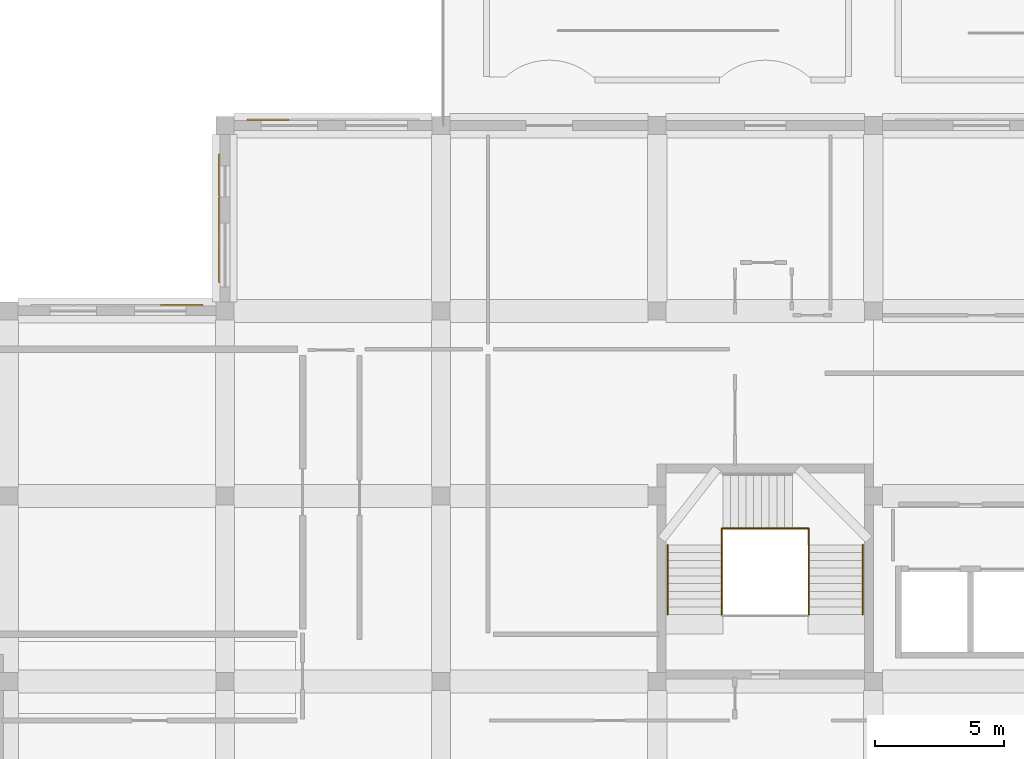
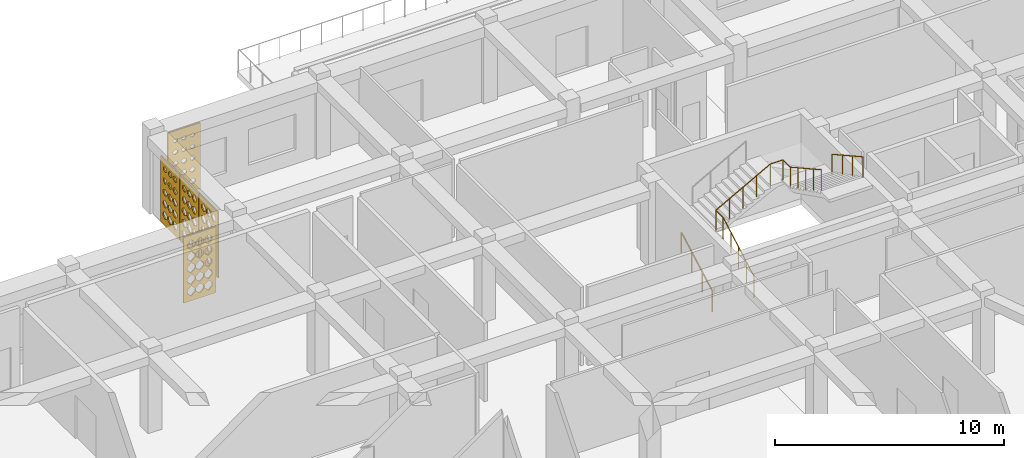
# One storey, part 71 of 79: 5 coverings, 5 railings.
"""IFC4 building model written with IfcOpenShell, lengths in metres."""

from ifc_helpers import new_model, si_unit, derived_unit, direction, frame, origin, origin_2d, place, context, subcontext, project, spatial, polyline, circle, outline, extrude, material, layer, layer_set, type_object, element, save


model = new_model("IFC4")

# Units and contexts
model_context = context("Model", 3, precision=1e-05, world=origin(), true_north=direction((0.0, 1.0)))
body_context = subcontext(model_context, "Body", "Model", "MODEL_VIEW")
ifc_project = project(units=[si_unit("LENGTHUNIT", "METRE"), si_unit("AREAUNIT", "SQUARE_METRE"), si_unit("VOLUMEUNIT", "CUBIC_METRE"), si_unit("PLANEANGLEUNIT", "RADIAN"), si_unit("MASSUNIT", "GRAM", prefix="KILO"), derived_unit("THERMALTRANSMITTANCEUNIT", [(si_unit("POWERUNIT", "WATT"), 1), (si_unit("LENGTHUNIT", "METRE"), -2), (si_unit("THERMODYNAMICTEMPERATUREUNIT", "KELVIN"), -1)])], contexts=[model_context])

# Site, building, storey
site_placement = place(None, origin())
site = spatial("IfcSite", under=ifc_project, at=site_placement, CompositionType="ELEMENT")
building_placement = place(site_placement, origin())
building = spatial("IfcBuilding", under=site, at=building_placement, Name="Veybourne Emporium", CompositionType="ELEMENT")
storey_placement = place(building_placement, frame((0.0, 0.0, 18.89990234375)))
storey = spatial("IfcBuildingStorey", under=building, at=storey_placement, Name="L04", CompositionType="ELEMENT", Elevation=18.89990234375)

# Railings
ifc_material_1 = material(Name="Brushed Stainless Steel", Category="steel")
railing_type_1 = type_object("IfcRailingType", Name="Guard_GR-01", PredefinedType="GUARDRAIL", material=ifc_material_1)
railing_1_placement = place(storey_placement, frame((52.909912109375, 74.60009765625, 0.0)))
element("IfcRailing", 1, at=railing_1_placement, inside=storey, type_object=railing_type_1, Name="L04 ST-03 stair guard 1", PredefinedType="GUARDRAIL", context=body_context, shape_type="SweptSolid", body=[
    extrude(circle(Radius=0.02392578125, at=origin_2d()), frame((0.0, 0.0, 1.1259765625), z_axis=(0.0, 0.87415354758, 0.485649642493), x_axis=(-1.0, 0.0, 0.0)), (0.0, 0.0, 1.0), 3.088623046875),
    extrude(circle(Radius=0.02392578125, at=origin_2d()), frame((0.0, 2.699951171875, 2.6259765625), z_axis=(0.0, 1.0, 0.0), x_axis=(-1.0, 0.0, 0.0)), (0.0, 0.0, 1.0), 0.639892578125),
    extrude(circle(Radius=0.02099609375, at=origin_2d()), origin(), (0.0, 0.0, 1.0), 1.101806640625),
    extrude(circle(Radius=0.02099609375, at=origin_2d()), frame((0.0, 0.675048828125, 0.375)), (0.0, 0.0, 1.0), 1.101806640625),
    extrude(circle(Radius=0.02099609375, at=origin_2d()), frame((0.0, 1.35009765625, 0.75)), (0.0, 0.0, 1.0), 1.101806640625),
    extrude(circle(Radius=0.02099609375, at=origin_2d()), frame((0.0, 2.02490234375, 1.125)), (0.0, 0.0, 1.0), 1.101806640625),
    extrude(circle(Radius=0.02099609375, at=origin_2d()), frame((0.0, 2.699951171875, 1.5)), (0.0, 0.0, 1.0), 1.101806640625),
    extrude(circle(Radius=0.02099609375, at=origin_2d()), frame((0.0, 3.33984375, 1.5)), (0.0, 0.0, 1.0), 1.101806640625),
])
railing_2_placement = place(storey_placement, frame((52.909912109375, 77.93994140625, 1.5)))
element("IfcRailing", 2, at=railing_2_placement, inside=storey, type_object=railing_type_1, Name="L04 ST-03 stair guard 2", PredefinedType="GUARDRAIL", context=body_context, shape_type="SweptSolid", body=[
    extrude(circle(Radius=0.02392578125, at=origin_2d()), frame((0.0, 0.0, 1.1259765625), z_axis=(0.87715976088, 0.0, 0.480198660861), x_axis=(0.0, 1.0, 0.0)), (0.0, 0.0, 1.0), 3.123779296875),
    extrude(circle(Radius=0.02392578125, at=origin_2d()), frame((2.739990234375, 0.0, 2.6259765625), z_axis=(1.0, 0.0, 0.0), x_axis=(0.0, 1.0, 0.0)), (0.0, 0.0, 1.0), 0.64013671875),
    extrude(circle(Radius=0.02099609375, at=origin_2d()), origin(), (0.0, 0.0, 1.0), 1.101806640625),
    extrude(circle(Radius=0.02099609375, at=origin_2d()), frame((0.68505859375, 0.0, 0.375)), (0.0, 0.0, 1.0), 1.101806640625),
    extrude(circle(Radius=0.02099609375, at=origin_2d()), frame((1.3701171875, 0.0, 0.75)), (0.0, 0.0, 1.0), 1.101806640625),
    extrude(circle(Radius=0.02099609375, at=origin_2d()), frame((2.054931640625, 0.0, 1.125)), (0.0, 0.0, 1.0), 1.101806640625),
    extrude(circle(Radius=0.02099609375, at=origin_2d()), frame((2.739990234375, 0.0, 1.5)), (0.0, 0.0, 1.0), 1.101806640625),
    extrude(circle(Radius=0.02099609375, at=origin_2d()), frame((3.380126953125, 0.0, 1.5)), (0.0, 0.0, 1.0), 1.101806640625),
])
railing_3_placement = place(storey_placement, frame((56.2900390625, 77.93994140625, 3.0)))
element("IfcRailing", 3, at=railing_3_placement, inside=storey, type_object=railing_type_1, Name="L04 ST-03 stair guard 3", PredefinedType="GUARDRAIL", context=body_context, shape_type="SweptSolid", body=[
    extrude(circle(Radius=0.02392578125, at=origin_2d()), frame((0.0, 0.0, 1.1259765625), z_axis=(0.0, -1.0, 0.0), x_axis=(1.0, 0.0, 0.0)), (0.0, 0.0, 1.0), 0.639892578125),
    extrude(circle(Radius=0.02392578125, at=origin_2d()), frame((0.0, -0.639892578125, 1.1259765625), z_axis=(0.0, -0.87415354758, 0.485649642493), x_axis=(1.0, 0.0, 0.0)), (0.0, 0.0, 1.0), 3.088623046875),
    extrude(circle(Radius=0.02099609375, at=origin_2d()), origin(), (0.0, 0.0, 1.0), 1.101806640625),
    extrude(circle(Radius=0.02099609375, at=origin_2d()), frame((0.0, -0.639892578125, 0.0)), (0.0, 0.0, 1.0), 1.101806640625),
    extrude(circle(Radius=0.02099609375, at=origin_2d()), frame((0.0, -1.31494140625, 0.375)), (0.0, 0.0, 1.0), 1.101806640625),
    extrude(circle(Radius=0.02099609375, at=origin_2d()), frame((0.0, -1.98974609375, 0.75)), (0.0, 0.0, 1.0), 1.101806640625),
    extrude(circle(Radius=0.02099609375, at=origin_2d()), frame((0.0, -2.664794921875, 1.125)), (0.0, 0.0, 1.0), 1.101806640625),
    extrude(circle(Radius=0.02099609375, at=origin_2d()), frame((0.0, -3.33984375, 1.5)), (0.0, 0.0, 1.0), 1.101806640625),
])
railing_type_2 = type_object("IfcRailingType", Name="Handrail_HR-01", PredefinedType="HANDRAIL", material=ifc_material_1)
railing_4_placement = place(storey_placement, frame((50.81005859375, 74.60009765625, 0.150146484375)))
element("IfcRailing", 4, at=railing_4_placement, inside=storey, type_object=railing_type_2, Name="L04 ST-03 pitch handrail 1", PredefinedType="HANDRAIL", context=body_context, shape_type="SweptSolid", body=[
    extrude(circle(Radius=0.02392578125, at=origin_2d()), frame((0.0, 0.0, 0.92578125), z_axis=(0.0, 0.87415354758, 0.485649642493), x_axis=(-1.0, 0.0, 0.0)), (0.0, 0.0, 1.0), 3.088623046875),
    extrude(circle(Radius=0.02099609375, at=origin_2d()), frame((0.0, 0.0, -0.14990234375)), (0.0, 0.0, 1.0), 1.0517578125),
    extrude(circle(Radius=0.02099609375, at=origin_2d()), frame((0.0, 0.89990234375, 0.35009765625)), (0.0, 0.0, 1.0), 1.0517578125),
    extrude(circle(Radius=0.02099609375, at=origin_2d()), frame((0.0, 1.800048828125, 0.85009765625)), (0.0, 0.0, 1.0), 1.0517578125),
    extrude(circle(Radius=0.02099609375, at=origin_2d()), frame((0.0, 2.699951171875, 1.35009765625)), (0.0, 0.0, 1.0), 1.0517578125),
])
railing_5_placement = place(storey_placement, frame((58.389892578125, 77.300048828125, 3.150146484375)))
element("IfcRailing", 5, at=railing_5_placement, inside=storey, type_object=railing_type_2, Name="L04 ST-03 pitch handrail 3", PredefinedType="HANDRAIL", context=body_context, shape_type="SweptSolid", body=[
    extrude(circle(Radius=0.02392578125, at=origin_2d()), frame((0.0, 0.0, 0.92578125), z_axis=(0.0, -0.87415354758, 0.485649642493), x_axis=(1.0, 0.0, 0.0)), (0.0, 0.0, 1.0), 3.088623046875),
    extrude(circle(Radius=0.02099609375, at=origin_2d()), frame((0.0, 0.0, -0.14990234375)), (0.0, 0.0, 1.0), 1.0517578125),
    extrude(circle(Radius=0.02099609375, at=origin_2d()), frame((0.0, -0.89990234375, 0.35009765625)), (0.0, 0.0, 1.0), 1.0517578125),
    extrude(circle(Radius=0.02099609375, at=origin_2d()), frame((0.0, -1.800048828125, 0.85009765625)), (0.0, 0.0, 1.0), 1.0517578125),
    extrude(circle(Radius=0.02099609375, at=origin_2d()), frame((0.0, -2.699951171875, 1.35009765625)), (0.0, 0.0, 1.0), 1.0517578125),
])

# Coverings
ifc_material_2 = material(Name="Warm-White Perforated Aluminium Screen Alloy", Category="aluminium")
ifc_layer_1 = layer(ifc_material_2, 0.06005859375)
ifc_layer_set_1 = layer_set([ifc_layer_1], Name="Warm-White Perforated Aluminium Screen Alloy")
covering_type_1 = type_object("IfcCoveringType", Name="WaveScreen_SCR-01", PredefinedType="CLADDING", material=ifc_layer_set_1)
covering_1_placement = place(storey_placement, frame((31.919921875, 86.64794921875, 1.815185546875), z_axis=(0.0, -1.0, 0.0), x_axis=(1.0, 0.0, 0.0)))
element("IfcCovering", 6, at=covering_1_placement, inside=storey, type_object=covering_type_1, Name="L04 wave-perforated aluminium screen SCR-01 (20.4)", PredefinedType="CLADDING", context=body_context, shape_type="SweptSolid", body=[
    extrude(outline(polyline([(-0.81982421875, -1.7548828125), (0.81982421875, -1.7548828125), (0.81982421875, 1.7548828125), (-0.81982421875, 1.7548828125), (-0.81982421875, -1.7548828125)]), holes=[polyline([(-0.433349609375, -0.964111328125), (-0.2470703125, -1.133056640625), (-0.2470703125, -1.322998046875), (-0.433349609375, -1.491943359375), (-0.61962890625, -1.322998046875), (-0.61962890625, -1.133056640625), (-0.433349609375, -0.964111328125)]), polyline([(-0.433349609375, -0.35009765625), (-0.2470703125, -0.51904296875), (-0.2470703125, -0.708984375), (-0.433349609375, -0.8779296875), (-0.61962890625, -0.708984375), (-0.61962890625, -0.51904296875), (-0.433349609375, -0.35009765625)]), polyline([(-0.433349609375, 0.263916015625), (-0.2470703125, 0.094970703125), (-0.2470703125, -0.094970703125), (-0.433349609375, -0.263916015625), (-0.61962890625, -0.094970703125), (-0.61962890625, 0.094970703125), (-0.433349609375, 0.263916015625)]), polyline([(-0.433349609375, 0.877685546875), (-0.2470703125, 0.708984375), (-0.2470703125, 0.51904296875), (-0.433349609375, 0.35009765625), (-0.61962890625, 0.51904296875), (-0.61962890625, 0.708984375), (-0.433349609375, 0.877685546875)]), polyline([(-0.433349609375, 1.483642578125), (-0.2470703125, 1.320068359375), (-0.2470703125, 1.135986328125), (-0.433349609375, 0.972412109375), (-0.61962890625, 1.135986328125), (-0.61962890625, 1.320068359375), (-0.433349609375, 1.483642578125)]), polyline([(0.0, -0.964111328125), (0.186279296875, -1.133056640625), (0.186279296875, -1.322998046875), (0.0, -1.491943359375), (-0.186279296875, -1.322998046875), (-0.186279296875, -1.133056640625), (0.0, -0.964111328125)]), polyline([(0.0, -0.35009765625), (0.186279296875, -0.51904296875), (0.186279296875, -0.708984375), (0.0, -0.8779296875), (-0.186279296875, -0.708984375), (-0.186279296875, -0.51904296875), (0.0, -0.35009765625)]), polyline([(0.0, 0.263916015625), (0.186279296875, 0.094970703125), (0.186279296875, -0.094970703125), (0.0, -0.263916015625), (-0.186279296875, -0.094970703125), (-0.186279296875, 0.094970703125), (0.0, 0.263916015625)]), polyline([(0.0, 0.874267578125), (0.186279296875, 0.707763671875), (0.186279296875, 0.520263671875), (0.0, 0.353759765625), (-0.186279296875, 0.520263671875), (-0.186279296875, 0.707763671875), (0.0, 0.874267578125)]), polyline([(0.0, 1.479248046875), (0.186279296875, 1.318603515625), (0.186279296875, 1.137451171875), (0.0, 0.976806640625), (-0.186279296875, 1.137451171875), (-0.186279296875, 1.318603515625), (0.0, 1.479248046875)]), polyline([(0.433349609375, -0.964111328125), (0.61962890625, -1.133056640625), (0.61962890625, -1.322998046875), (0.433349609375, -1.491943359375), (0.2470703125, -1.322998046875), (0.2470703125, -1.133056640625), (0.433349609375, -0.964111328125)]), polyline([(0.433349609375, -0.35009765625), (0.61962890625, -0.51904296875), (0.61962890625, -0.708984375), (0.433349609375, -0.8779296875), (0.2470703125, -0.708984375), (0.2470703125, -0.51904296875), (0.433349609375, -0.35009765625)]), polyline([(0.433349609375, 0.263916015625), (0.61962890625, 0.094970703125), (0.61962890625, -0.094970703125), (0.433349609375, -0.263916015625), (0.2470703125, -0.094970703125), (0.2470703125, 0.094970703125), (0.433349609375, 0.263916015625)]), polyline([(0.433349609375, 0.87060546875), (0.61962890625, 0.706298828125), (0.61962890625, 0.521728515625), (0.433349609375, 0.357421875), (0.2470703125, 0.521728515625), (0.2470703125, 0.706298828125), (0.433349609375, 0.87060546875)]), polyline([(0.433349609375, 1.474609375), (0.61962890625, 1.31689453125), (0.61962890625, 1.13916015625), (0.433349609375, 0.9814453125), (0.2470703125, 1.13916015625), (0.2470703125, 1.31689453125), (0.433349609375, 1.474609375)])]), origin(), (0.0, 0.0, 1.0), 0.06005859375),
])
covering_2_placement = place(storey_placement, frame((33.35205078125, 88.320068359375, 1.815185546875), z_axis=(1.0, 0.0, 0.0), x_axis=(0.0, 1.0, 0.0)))
element("IfcCovering", 7, at=covering_2_placement, inside=storey, type_object=covering_type_1, Name="L04 wave-perforated aluminium screen SCR-01 (23.1)", PredefinedType="CLADDING", context=body_context, shape_type="SweptSolid", body=[
    extrude(outline(polyline([(-0.81982421875, -1.7548828125), (0.81982421875, -1.7548828125), (0.81982421875, 1.7548828125), (-0.81982421875, 1.7548828125), (-0.81982421875, -1.7548828125)]), holes=[polyline([(-0.433349609375, -0.966552734375), (-0.2470703125, -1.1337890625), (-0.2470703125, -1.322021484375), (-0.433349609375, -1.489501953125), (-0.61962890625, -1.322021484375), (-0.61962890625, -1.1337890625), (-0.433349609375, -0.966552734375)]), polyline([(-0.433349609375, -0.361328125), (-0.2470703125, -0.52294921875), (-0.2470703125, -0.705078125), (-0.433349609375, -0.86669921875), (-0.61962890625, -0.705078125), (-0.61962890625, -0.52294921875), (-0.433349609375, -0.361328125)]), polyline([(-0.433349609375, 0.2421875), (-0.2470703125, 0.087158203125), (-0.2470703125, -0.087158203125), (-0.433349609375, -0.2421875), (-0.61962890625, -0.087158203125), (-0.61962890625, 0.087158203125), (-0.433349609375, 0.2421875)]), polyline([(-0.433349609375, 0.843994140625), (-0.2470703125, 0.697021484375), (-0.2470703125, 0.531005859375), (-0.433349609375, 0.3837890625), (-0.61962890625, 0.531005859375), (-0.61962890625, 0.697021484375), (-0.433349609375, 0.843994140625)]), polyline([(-0.433349609375, 1.445068359375), (-0.2470703125, 1.30615234375), (-0.2470703125, 1.14990234375), (-0.433349609375, 1.010986328125), (-0.61962890625, 1.14990234375), (-0.61962890625, 1.30615234375), (-0.433349609375, 1.445068359375)]), polyline([(0.0, -0.97021484375), (0.186279296875, -1.13525390625), (0.186279296875, -1.32080078125), (0.0, -1.485595703125), (-0.186279296875, -1.32080078125), (-0.186279296875, -1.13525390625), (0.0, -0.97021484375)]), polyline([(0.0, -0.365966796875), (0.186279296875, -0.524658203125), (0.186279296875, -0.703369140625), (0.0, -0.862060546875), (-0.186279296875, -0.703369140625), (-0.186279296875, -0.524658203125), (0.0, -0.365966796875)]), polyline([(0.0, 0.23681640625), (0.186279296875, 0.085205078125), (0.186279296875, -0.085205078125), (0.0, -0.23681640625), (-0.186279296875, -0.085205078125), (-0.186279296875, 0.085205078125), (0.0, 0.23681640625)]), polyline([(0.0, 0.83837890625), (0.186279296875, 0.69482421875), (0.186279296875, 0.533203125), (0.0, 0.3896484375), (-0.186279296875, 0.533203125), (-0.186279296875, 0.69482421875), (0.0, 0.83837890625)]), polyline([(0.0, 1.438720703125), (0.1826171875, 1.303955078125), (0.1826171875, 1.152099609375), (0.0, 1.01708984375), (-0.1826171875, 1.152099609375), (-0.1826171875, 1.303955078125), (0.0, 1.438720703125)]), polyline([(0.433349609375, -0.974365234375), (0.61962890625, -1.13671875), (0.61962890625, -1.3193359375), (0.433349609375, -1.481689453125), (0.2470703125, -1.3193359375), (0.2470703125, -1.13671875), (0.433349609375, -0.974365234375)]), polyline([(0.433349609375, -0.370849609375), (0.61962890625, -0.526611328125), (0.61962890625, -0.701416015625), (0.433349609375, -0.857177734375), (0.2470703125, -0.701416015625), (0.2470703125, -0.526611328125), (0.433349609375, -0.370849609375)]), polyline([(0.433349609375, 0.231201171875), (0.61962890625, 0.083251953125), (0.61962890625, -0.083251953125), (0.433349609375, -0.231201171875), (0.2470703125, -0.083251953125), (0.2470703125, 0.083251953125), (0.433349609375, 0.231201171875)]), polyline([(0.433349609375, 0.832275390625), (0.61962890625, 0.692626953125), (0.61962890625, 0.535400390625), (0.433349609375, 0.395751953125), (0.2470703125, 0.535400390625), (0.2470703125, 0.692626953125), (0.433349609375, 0.832275390625)]), polyline([(0.433349609375, 1.4326171875), (0.610595703125, 1.301513671875), (0.610595703125, 1.154296875), (0.433349609375, 1.0234375), (0.256103515625, 1.154296875), (0.256103515625, 1.301513671875), (0.433349609375, 1.4326171875)])]), origin(), (0.0, 0.0, 1.0), 0.06005859375),
])
ifc_layer_2 = layer(ifc_material_2, 0.06005859375)
ifc_layer_set_2 = layer_set([ifc_layer_2], Name="Warm-White Perforated Aluminium Screen Alloy")
covering_type_2 = type_object("IfcCoveringType", Name="WaveScreen_SCR-02", PredefinedType="CLADDING", material=ifc_layer_set_2)
covering_3_placement = place(storey_placement, frame((33.35205078125, 90.0, 1.815185546875), z_axis=(1.0, 0.0, 0.0), x_axis=(0.0, 1.0, 0.0)))
element("IfcCovering", 8, at=covering_3_placement, inside=storey, type_object=covering_type_2, Name="L04 wave-perforated aluminium screen SCR-02 (23.2)", PredefinedType="CLADDING", context=body_context, shape_type="SweptSolid", body=[
    extrude(outline(polyline([(-0.81982421875, -1.7548828125), (0.81982421875, -1.7548828125), (0.81982421875, 1.7548828125), (-0.81982421875, 1.7548828125), (-0.81982421875, -1.7548828125)]), holes=[polyline([(-0.433349609375, -0.983154296875), (-0.2470703125, -1.139892578125), (-0.2470703125, -1.316162109375), (-0.433349609375, -1.472900390625), (-0.61962890625, -1.316162109375), (-0.61962890625, -1.139892578125), (-0.433349609375, -0.983154296875)]), polyline([(-0.433349609375, -0.380859375), (-0.2470703125, -0.530029296875), (-0.2470703125, -0.697998046875), (-0.433349609375, -0.84716796875), (-0.61962890625, -0.697998046875), (-0.61962890625, -0.530029296875), (-0.433349609375, -0.380859375)]), polyline([(-0.433349609375, 0.22021484375), (-0.2470703125, 0.079345703125), (-0.2470703125, -0.079345703125), (-0.433349609375, -0.22021484375), (-0.61962890625, -0.079345703125), (-0.61962890625, 0.079345703125), (-0.433349609375, 0.22021484375)]), polyline([(-0.433349609375, 0.820556640625), (-0.25439453125, 0.6884765625), (-0.25439453125, 0.53955078125), (-0.433349609375, 0.407470703125), (-0.6123046875, 0.53955078125), (-0.6123046875, 0.6884765625), (-0.433349609375, 0.820556640625)]), polyline([(-0.433349609375, 1.42041015625), (-0.265869140625, 1.29736328125), (-0.265869140625, 1.15869140625), (-0.433349609375, 1.035400390625), (-0.600830078125, 1.15869140625), (-0.600830078125, 1.29736328125), (-0.433349609375, 1.42041015625)]), polyline([(0.0, -0.98828125), (0.186279296875, -1.1416015625), (0.186279296875, -1.314208984375), (0.0, -1.4677734375), (-0.186279296875, -1.314208984375), (-0.186279296875, -1.1416015625), (0.0, -0.98828125)]), polyline([(0.0, -0.38671875), (0.186279296875, -0.531982421875), (0.186279296875, -0.69580078125), (0.0, -0.84130859375), (-0.186279296875, -0.69580078125), (-0.186279296875, -0.531982421875), (0.0, -0.38671875)]), polyline([(0.0, 0.214111328125), (0.185302734375, 0.0771484375), (0.185302734375, -0.0771484375), (0.0, -0.214111328125), (-0.185302734375, -0.0771484375), (-0.185302734375, 0.0771484375), (0.0, 0.214111328125)]), polyline([(0.0, 0.814208984375), (0.173828125, 0.68603515625), (0.173828125, 0.5419921875), (0.0, 0.413818359375), (-0.173828125, 0.5419921875), (-0.173828125, 0.68603515625), (0.0, 0.814208984375)]), polyline([(0.0, 1.4140625), (0.162109375, 1.294921875), (0.162109375, 1.160888671875), (0.0, 1.0419921875), (-0.162109375, 1.160888671875), (-0.162109375, 1.294921875), (0.0, 1.4140625)]), polyline([(0.433349609375, -0.99365234375), (0.61962890625, -1.143798828125), (0.61962890625, -1.312255859375), (0.433349609375, -1.46240234375), (0.2470703125, -1.312255859375), (0.2470703125, -1.143798828125), (0.433349609375, -0.99365234375)]), polyline([(0.433349609375, -0.392578125), (0.61962890625, -0.5341796875), (0.61962890625, -0.693603515625), (0.433349609375, -0.83544921875), (0.2470703125, -0.693603515625), (0.2470703125, -0.5341796875), (0.433349609375, -0.392578125)]), polyline([(0.433349609375, 0.2080078125), (0.61328125, 0.07470703125), (0.61328125, -0.07470703125), (0.433349609375, -0.2080078125), (0.25341796875, -0.07470703125), (0.25341796875, 0.07470703125), (0.433349609375, 0.2080078125)]), polyline([(0.433349609375, 0.807861328125), (0.601806640625, 0.683837890625), (0.601806640625, 0.544189453125), (0.433349609375, 0.420166015625), (0.264892578125, 0.544189453125), (0.264892578125, 0.683837890625), (0.433349609375, 0.807861328125)]), polyline([(0.433349609375, 1.40771484375), (0.59033203125, 1.292724609375), (0.59033203125, 1.163330078125), (0.433349609375, 1.04833984375), (0.2763671875, 1.163330078125), (0.2763671875, 1.292724609375), (0.433349609375, 1.40771484375)])]), origin(), (0.0, 0.0, 1.0), 0.06005859375),
])
ifc_layer_3 = layer(ifc_material_2, 0.06005859375)
ifc_layer_set_3 = layer_set([ifc_layer_3], Name="Warm-White Perforated Aluminium Screen Alloy")
covering_type_3 = type_object("IfcCoveringType", Name="WaveScreen_SCR-03", PredefinedType="CLADDING", material=ifc_layer_set_3)
covering_4_placement = place(storey_placement, frame((33.35205078125, 91.679931640625, 1.815185546875), z_axis=(1.0, 0.0, 0.0), x_axis=(0.0, 1.0, 0.0)))
element("IfcCovering", 9, at=covering_4_placement, inside=storey, type_object=covering_type_3, Name="L04 wave-perforated aluminium screen SCR-03 (23.3)", PredefinedType="CLADDING", context=body_context, shape_type="SweptSolid", body=[
    extrude(outline(polyline([(-0.81982421875, -1.7548828125), (0.81982421875, -1.7548828125), (0.81982421875, 1.7548828125), (-0.81982421875, 1.7548828125), (-0.81982421875, -1.7548828125)]), holes=[polyline([(-0.433349609375, -1.00439453125), (-0.2470703125, -1.147705078125), (-0.2470703125, -1.308349609375), (-0.433349609375, -1.451416015625), (-0.61962890625, -1.308349609375), (-0.61962890625, -1.147705078125), (-0.433349609375, -1.00439453125)]), polyline([(-0.433349609375, -0.404052734375), (-0.251708984375, -0.538330078125), (-0.251708984375, -0.689697265625), (-0.433349609375, -0.823974609375), (-0.614990234375, -0.689697265625), (-0.614990234375, -0.538330078125), (-0.433349609375, -0.404052734375)]), polyline([(-0.433349609375, 0.19580078125), (-0.26318359375, 0.070556640625), (-0.26318359375, -0.070556640625), (-0.433349609375, -0.19580078125), (-0.603515625, -0.070556640625), (-0.603515625, 0.070556640625), (-0.433349609375, 0.19580078125)]), polyline([(-0.433349609375, 0.795654296875), (-0.274658203125, 0.679443359375), (-0.274658203125, 0.548583984375), (-0.433349609375, 0.432373046875), (-0.592041015625, 0.548583984375), (-0.592041015625, 0.679443359375), (-0.433349609375, 0.795654296875)]), polyline([(-0.433349609375, 1.39599609375), (-0.285888671875, 1.288330078125), (-0.285888671875, 1.16748046875), (-0.433349609375, 1.06005859375), (-0.580810546875, 1.16748046875), (-0.580810546875, 1.288330078125), (-0.433349609375, 1.39599609375)]), polyline([(0.0, -1.010498046875), (0.186279296875, -1.149658203125), (0.186279296875, -1.306396484375), (0.0, -1.4453125), (-0.186279296875, -1.306396484375), (-0.186279296875, -1.149658203125), (0.0, -1.010498046875)]), polyline([(0.0, -0.410400390625), (0.176513671875, -0.540771484375), (0.176513671875, -0.687255859375), (0.0, -0.817626953125), (-0.176513671875, -0.687255859375), (-0.176513671875, -0.540771484375), (0.0, -0.410400390625)]), polyline([(0.0, 0.189453125), (0.1650390625, 0.068115234375), (0.1650390625, -0.068115234375), (0.0, -0.189453125), (-0.1650390625, -0.068115234375), (-0.1650390625, 0.068115234375), (0.0, 0.189453125)]), polyline([(0.0, 0.789306640625), (0.153564453125, 0.677001953125), (0.153564453125, 0.55078125), (0.0, 0.438720703125), (-0.153564453125, 0.55078125), (-0.153564453125, 0.677001953125), (0.0, 0.789306640625)]), polyline([(0.0, 1.389892578125), (0.142333984375, 1.286376953125), (0.142333984375, 1.169677734375), (0.0, 1.066162109375), (-0.142333984375, 1.169677734375), (-0.142333984375, 1.286376953125), (0.0, 1.389892578125)]), polyline([(0.433349609375, -1.016845703125), (0.6162109375, -1.152099609375), (0.6162109375, -1.303955078125), (0.433349609375, -1.439208984375), (0.25048828125, -1.303955078125), (0.25048828125, -1.152099609375), (0.433349609375, -1.016845703125)]), polyline([(0.433349609375, -0.416748046875), (0.604736328125, -0.54296875), (0.604736328125, -0.68505859375), (0.433349609375, -0.811279296875), (0.261962890625, -0.68505859375), (0.261962890625, -0.54296875), (0.433349609375, -0.416748046875)]), polyline([(0.433349609375, 0.18310546875), (0.593017578125, 0.06591796875), (0.593017578125, -0.06591796875), (0.433349609375, -0.18310546875), (0.273681640625, -0.06591796875), (0.273681640625, 0.06591796875), (0.433349609375, 0.18310546875)]), polyline([(0.433349609375, 0.783203125), (0.581787109375, 0.6748046875), (0.581787109375, 0.552978515625), (0.433349609375, 0.44482421875), (0.284912109375, 0.552978515625), (0.284912109375, 0.6748046875), (0.433349609375, 0.783203125)]), polyline([(0.433349609375, 1.384033203125), (0.57080078125, 1.2841796875), (0.57080078125, 1.171875), (0.433349609375, 1.072021484375), (0.295654296875, 1.171875), (0.295654296875, 1.2841796875), (0.433349609375, 1.384033203125)])]), origin(), (0.0, 0.0, 1.0), 0.06005859375),
])
ifc_layer_4 = layer(ifc_material_2, 0.06005859375)
ifc_layer_set_4 = layer_set([ifc_layer_4], Name="Warm-White Perforated Aluminium Screen Alloy")
covering_type_4 = type_object("IfcCoveringType", Name="WaveScreen_SCR-04", PredefinedType="CLADDING", material=ifc_layer_set_4)
covering_5_placement = place(storey_placement, frame((35.280029296875, 93.84814453125, 1.815185546875), z_axis=(0.0, -1.0, 0.0), x_axis=(1.0, 0.0, 0.0)))
element("IfcCovering", 10, at=covering_5_placement, inside=storey, type_object=covering_type_4, Name="L04 wave-perforated aluminium screen SCR-04 (22.1)", PredefinedType="CLADDING", context=body_context, shape_type="SweptSolid", body=[
    extrude(outline(polyline([(-0.81982421875, -1.7548828125), (0.81982421875, -1.7548828125), (0.81982421875, 1.7548828125), (-0.81982421875, 1.7548828125), (-0.81982421875, -1.7548828125)]), holes=[polyline([(-0.433349609375, -1.06298828125), (-0.288330078125, -1.168701171875), (-0.288330078125, -1.287353515625), (-0.433349609375, -1.392822265625), (-0.578125, -1.287353515625), (-0.578125, -1.168701171875), (-0.433349609375, -1.06298828125)]), polyline([(-0.433349609375, -0.4619140625), (-0.299072265625, -0.559326171875), (-0.299072265625, -0.668701171875), (-0.433349609375, -0.76611328125), (-0.567626953125, -0.668701171875), (-0.567626953125, -0.559326171875), (-0.433349609375, -0.4619140625)]), polyline([(-0.433349609375, 0.140380859375), (-0.30859375, 0.050537109375), (-0.30859375, -0.050537109375), (-0.433349609375, -0.140380859375), (-0.55810546875, -0.050537109375), (-0.55810546875, 0.050537109375), (-0.433349609375, 0.140380859375)]), polyline([(-0.433349609375, 0.744140625), (-0.31689453125, 0.660888671875), (-0.31689453125, 0.567138671875), (-0.433349609375, 0.48388671875), (-0.5498046875, 0.567138671875), (-0.5498046875, 0.660888671875), (-0.433349609375, 0.744140625)]), polyline([(-0.433349609375, 1.349853515625), (-0.32373046875, 1.271728515625), (-0.32373046875, 1.18408203125), (-0.433349609375, 1.106201171875), (-0.54296875, 1.18408203125), (-0.54296875, 1.271728515625), (-0.433349609375, 1.349853515625)]), polyline([(0.0, -1.069091796875), (0.139892578125, -1.1708984375), (0.139892578125, -1.28515625), (0.0, -1.386962890625), (-0.139892578125, -1.28515625), (-0.139892578125, -1.1708984375), (0.0, -1.069091796875)]), polyline([(0.0, -0.467529296875), (0.1298828125, -0.561279296875), (0.1298828125, -0.666748046875), (0.0, -0.760498046875), (-0.1298828125, -0.666748046875), (-0.1298828125, -0.561279296875), (0.0, -0.467529296875)]), polyline([(0.0, 0.135498046875), (0.120849609375, 0.048828125), (0.120849609375, -0.048828125), (0.0, -0.135498046875), (-0.120849609375, -0.048828125), (-0.120849609375, 0.048828125), (0.0, 0.135498046875)]), polyline([(0.0, 0.739990234375), (0.11328125, 0.659423828125), (0.11328125, 0.568603515625), (0.0, 0.48779296875), (-0.11328125, 0.568603515625), (-0.11328125, 0.659423828125), (0.0, 0.739990234375)]), polyline([(0.0, 1.3466796875), (0.107177734375, 1.270751953125), (0.107177734375, 1.185302734375), (0.0, 1.109375), (-0.107177734375, 1.185302734375), (-0.107177734375, 1.270751953125), (0.0, 1.3466796875)]), polyline([(0.433349609375, -1.074951171875), (0.568603515625, -1.1728515625), (0.568603515625, -1.283203125), (0.433349609375, -1.381103515625), (0.298095703125, -1.283203125), (0.298095703125, -1.1728515625), (0.433349609375, -1.074951171875)]), polyline([(0.433349609375, -0.47265625), (0.558837890625, -0.56298828125), (0.558837890625, -0.664794921875), (0.433349609375, -0.75537109375), (0.3076171875, -0.664794921875), (0.3076171875, -0.56298828125), (0.433349609375, -0.47265625)]), polyline([(0.433349609375, 0.131103515625), (0.550537109375, 0.047119140625), (0.550537109375, -0.047119140625), (0.433349609375, -0.131103515625), (0.316162109375, -0.047119140625), (0.316162109375, 0.047119140625), (0.433349609375, 0.131103515625)]), polyline([(0.433349609375, 0.736572265625), (0.54345703125, 0.658203125), (0.54345703125, 0.56982421875), (0.433349609375, 0.491455078125), (0.322998046875, 0.56982421875), (0.322998046875, 0.658203125), (0.433349609375, 0.736572265625)]), polyline([(0.433349609375, 1.343994140625), (0.538330078125, 1.269775390625), (0.538330078125, 1.186279296875), (0.433349609375, 1.11181640625), (0.328369140625, 1.186279296875), (0.328369140625, 1.269775390625), (0.433349609375, 1.343994140625)])]), origin(), (0.0, 0.0, 1.0), 0.06005859375),
])

save(model, "model.ifc")
